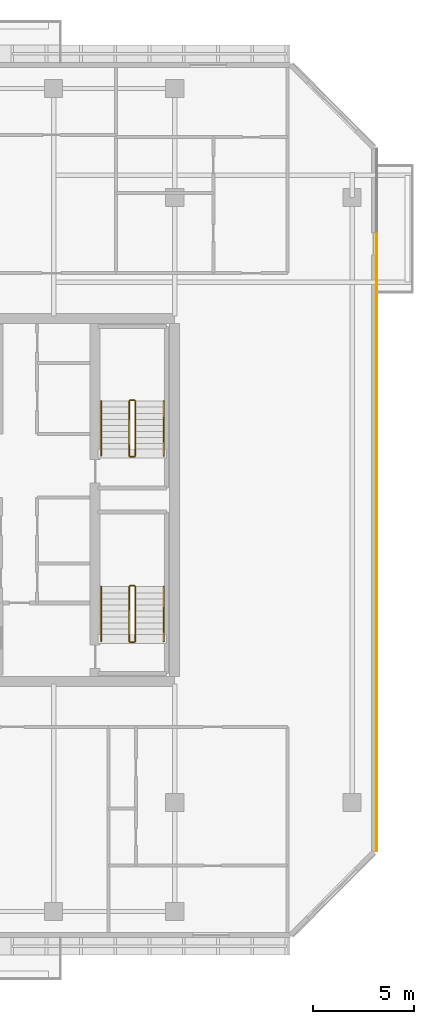
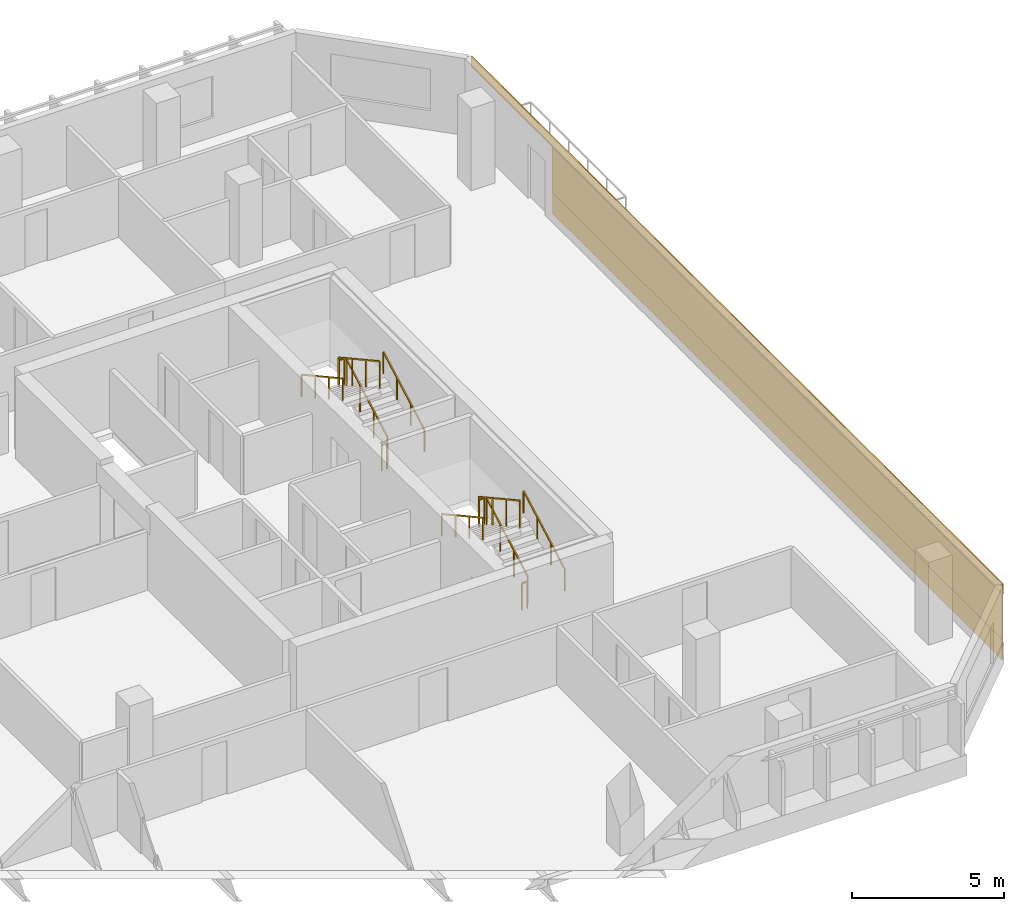
# One storey, part 20 of 21: 12 railings, 3 coverings.
"""IFC4 building model written with IfcOpenShell, lengths in metres."""

from ifc_helpers import new_model, si_unit, direction, frame, origin, origin_2d, place, context, subcontext, project, spatial, rectangle, extrude, material, layer, layer_set, type_object, element, save


model = new_model("IFC4")

# Units and contexts
model_context = context("Model", 3, precision=1e-05, world=origin(), true_north=direction((0.0, 1.0)))
body_context = subcontext(model_context, "Body", "Model", "MODEL_VIEW")
ifc_project = project(units=[si_unit("LENGTHUNIT", "METRE"), si_unit("AREAUNIT", "SQUARE_METRE"), si_unit("VOLUMEUNIT", "CUBIC_METRE"), si_unit("PLANEANGLEUNIT", "RADIAN"), si_unit("MASSUNIT", "GRAM", prefix="KILO")], contexts=[model_context])

# Site, building, storey
site_placement = place(None, origin())
site = spatial("IfcSite", under=ifc_project, at=site_placement, CompositionType="ELEMENT")
building_placement = place(site_placement, origin())
building = spatial("IfcBuilding", under=site, at=building_placement, Name="Tanjung Sevakor Pilgrim Tower", CompositionType="ELEMENT")
storey_placement = place(building_placement, frame((0.0, 0.0, 145.199951171875)))
storey = spatial("IfcBuildingStorey", under=building, at=storey_placement, Name="L40", CompositionType="ELEMENT", Elevation=145.199951171875)

# Coverings
ifc_material_1 = material(Name="Reconstructed Limestone Cladding", Category="masonry")
ifc_layer = layer(ifc_material_1, 0.044921875)
ifc_layer_set = layer_set([ifc_layer], Name="COV-CLAD-LIMESTONE")
covering_type = type_object("IfcCoveringType", Name="COV-CLAD-LIMESTONE", PredefinedType="CLADDING", material=ifc_layer_set)
covering_1_placement = place(storey_placement, frame((100.0224609375, 30.94091796875, 0.009765625), z_axis=(0.0, 0.0, 1.0), x_axis=(0.0, 1.0, 0.0)))
element("IfcCovering", 1, at=covering_1_placement, inside=storey, type_object=covering_type, Name="L40 Warm Limestone Sill Spandrel EW-L40-MAIN-7-1", PredefinedType="CLADDING", context=body_context, shape_type="SweptSolid", body=[
    extrude(rectangle(XDim=29.498291015625, YDim=0.044921875, at=origin_2d()), origin(), (0.0, 0.0, 1.0), 0.840087890625),
])
covering_2_placement = place(storey_placement, frame((100.0224609375, 33.60009765625, 2.66015625), z_axis=(0.0, 0.0, 1.0), x_axis=(0.0, 1.0, 0.0)))
element("IfcCovering", 2, at=covering_2_placement, inside=storey, type_object=covering_type, Name="L40 Warm Limestone Cornice Spandrel EW-L40-MAIN-7", PredefinedType="CLADDING", context=body_context, shape_type="SweptSolid", body=[
    extrude(rectangle(XDim=34.8564453125, YDim=0.044921875, at=origin_2d()), origin(), (0.0, 0.0, 1.0), 0.409912109375),
])
covering_3_placement = place(storey_placement, frame((100.0224609375, 30.94580078125, 0.85009765625), z_axis=(0.0, 0.0, 1.0), x_axis=(0.0, 1.0, 0.0)))
element("IfcCovering", 3, at=covering_3_placement, inside=storey, type_object=covering_type, Name="L40 Warm Limestone Pier Panel EW-L40-MAIN-7-1", PredefinedType="CLADDING", context=body_context, shape_type="SweptSolid", body=[
    extrude(rectangle(XDim=29.50830078125, YDim=0.044921875, at=origin_2d()), origin(), (0.0, 0.0, 1.0), 1.81005859375),
])

# Railings
ifc_material_2 = material(Name="Steel S355J2", Category="steel")
railing_type_1 = type_object("IfcRailingType", Name="RL-STAIR-GUARD", PredefinedType="GUARDRAIL", material=ifc_material_2)
railing_1_placement = place(storey_placement, frame((88.050048828125, 26.60009765625, 0.1650390625)))
element("IfcRailing", 4, at=railing_1_placement, inside=storey, type_object=railing_type_1, Name="L40 TS-E1 stair guard 1", PredefinedType="GUARDRAIL", context=body_context, shape_type="SweptSolid", body=[
    extrude(rectangle(XDim=0.0479, YDim=0.0479), frame((0.0, 0.0, 1.076171875), z_axis=(0.0, 0.876197507361, 0.481952205197), x_axis=(-1.0, 0.0, 0.0)), (0.0, 0.0, 1.0), 3.08154296875),
    extrude(rectangle(XDim=0.042, YDim=0.042), origin(), (0.0, 0.0, 1.0), 1.052001953125),
    extrude(rectangle(XDim=0.042, YDim=0.042), frame((0.0, 0.89990234375, 0.4951171875)), (0.0, 0.0, 1.0), 1.052001953125),
    extrude(rectangle(XDim=0.042, YDim=0.042), frame((0.0, 1.800048828125, 0.989990234375)), (0.0, 0.0, 1.0), 1.052001953125),
    extrude(rectangle(XDim=0.042, YDim=0.042), frame((0.0, 2.699951171875, 1.485107421875)), (0.0, 0.0, 1.0), 1.052001953125),
])
railing_2_placement = place(storey_placement, frame((88.0, 29.35009765625, 1.650146484375)))
element("IfcRailing", 5, at=railing_2_placement, inside=storey, type_object=railing_type_1, Name="L40 TS-E1 stair guard 2", PredefinedType="GUARDRAIL", context=body_context, shape_type="SweptSolid", body=[
    extrude(rectangle(XDim=0.0479, YDim=0.0479), frame((0.0, 0.0, 1.076171875), z_axis=(-1.0, 0.0, 0.0), x_axis=(0.0, -1.0, 0.0)), (0.0, 0.0, 1.0), 0.199951171875),
    extrude(rectangle(XDim=0.042, YDim=0.042), origin(), (0.0, 0.0, 1.0), 1.052001953125),
    extrude(rectangle(XDim=0.042, YDim=0.042), frame((-0.199951171875, 0.0, 0.0)), (0.0, 0.0, 1.0), 1.052001953125),
])
railing_3_placement = place(storey_placement, frame((87.75, 29.300048828125, 1.81494140625)))
element("IfcRailing", 6, at=railing_3_placement, inside=storey, type_object=railing_type_1, Name="L40 TS-E1 stair guard 3", PredefinedType="GUARDRAIL", context=body_context, shape_type="SweptSolid", body=[
    extrude(rectangle(XDim=0.0479, YDim=0.0479), frame((0.0, 0.0, 1.076171875), z_axis=(0.0, -0.876197507361, 0.481952205197), x_axis=(1.0, 0.0, 0.0)), (0.0, 0.0, 1.0), 3.08154296875),
    extrude(rectangle(XDim=0.042, YDim=0.042), origin(), (0.0, 0.0, 1.0), 1.052001953125),
    extrude(rectangle(XDim=0.042, YDim=0.042), frame((0.0, -0.89990234375, 0.4951171875)), (0.0, 0.0, 1.0), 1.052001953125),
    extrude(rectangle(XDim=0.042, YDim=0.042), frame((0.0, -1.800048828125, 0.989990234375)), (0.0, 0.0, 1.0), 1.052001953125),
    extrude(rectangle(XDim=0.042, YDim=0.042), frame((0.0, -2.699951171875, 1.485107421875)), (0.0, 0.0, 1.0), 1.052001953125),
])
railing_4_placement = place(storey_placement, frame((88.0, 26.550048828125, 0.0)))
element("IfcRailing", 7, at=railing_4_placement, inside=storey, type_object=railing_type_1, Name="L40 TS-E1 stair guard 4", PredefinedType="GUARDRAIL", context=body_context, shape_type="SweptSolid", body=[
    extrude(rectangle(XDim=0.0479, YDim=0.0479), frame((0.0, 0.0, 1.076171875), z_axis=(-1.0, 0.0, 0.0), x_axis=(0.0, -1.0, 0.0)), (0.0, 0.0, 1.0), 0.199951171875),
    extrude(rectangle(XDim=0.042, YDim=0.042), origin(), (0.0, 0.0, 1.0), 1.052001953125),
    extrude(rectangle(XDim=0.042, YDim=0.042), frame((-0.199951171875, 0.0, 0.0)), (0.0, 0.0, 1.0), 1.052001953125),
])
railing_5_placement = place(storey_placement, frame((88.050048828125, 35.800048828125, 0.1650390625)))
element("IfcRailing", 8, at=railing_5_placement, inside=storey, type_object=railing_type_1, Name="L40 TS-E2 stair guard 1", PredefinedType="GUARDRAIL", context=body_context, shape_type="SweptSolid", body=[
    extrude(rectangle(XDim=0.0479, YDim=0.0479), frame((0.0, 0.0, 1.076171875), z_axis=(0.0, 0.876197507361, 0.481952205197), x_axis=(-1.0, 0.0, 0.0)), (0.0, 0.0, 1.0), 3.08154296875),
    extrude(rectangle(XDim=0.042, YDim=0.042), origin(), (0.0, 0.0, 1.0), 1.052001953125),
    extrude(rectangle(XDim=0.042, YDim=0.042), frame((0.0, 0.89990234375, 0.4951171875)), (0.0, 0.0, 1.0), 1.052001953125),
    extrude(rectangle(XDim=0.042, YDim=0.042), frame((0.0, 1.800048828125, 0.989990234375)), (0.0, 0.0, 1.0), 1.052001953125),
    extrude(rectangle(XDim=0.042, YDim=0.042), frame((0.0, 2.699951171875, 1.485107421875)), (0.0, 0.0, 1.0), 1.052001953125),
])
railing_6_placement = place(storey_placement, frame((88.0, 38.550048828125, 1.650146484375)))
element("IfcRailing", 9, at=railing_6_placement, inside=storey, type_object=railing_type_1, Name="L40 TS-E2 stair guard 2", PredefinedType="GUARDRAIL", context=body_context, shape_type="SweptSolid", body=[
    extrude(rectangle(XDim=0.0479, YDim=0.0479), frame((0.0, 0.0, 1.076171875), z_axis=(-1.0, 0.0, 0.0), x_axis=(0.0, -1.0, 0.0)), (0.0, 0.0, 1.0), 0.199951171875),
    extrude(rectangle(XDim=0.042, YDim=0.042), origin(), (0.0, 0.0, 1.0), 1.052001953125),
    extrude(rectangle(XDim=0.042, YDim=0.042), frame((-0.199951171875, 0.0, 0.0)), (0.0, 0.0, 1.0), 1.052001953125),
])
railing_7_placement = place(storey_placement, frame((87.75, 38.5, 1.81494140625)))
element("IfcRailing", 10, at=railing_7_placement, inside=storey, type_object=railing_type_1, Name="L40 TS-E2 stair guard 3", PredefinedType="GUARDRAIL", context=body_context, shape_type="SweptSolid", body=[
    extrude(rectangle(XDim=0.0479, YDim=0.0479), frame((0.0, 0.0, 1.076171875), z_axis=(0.0, -0.876197507361, 0.481952205197), x_axis=(1.0, 0.0, 0.0)), (0.0, 0.0, 1.0), 3.08154296875),
    extrude(rectangle(XDim=0.042, YDim=0.042), origin(), (0.0, 0.0, 1.0), 1.052001953125),
    extrude(rectangle(XDim=0.042, YDim=0.042), frame((0.0, -0.89990234375, 0.4951171875)), (0.0, 0.0, 1.0), 1.052001953125),
    extrude(rectangle(XDim=0.042, YDim=0.042), frame((0.0, -1.800048828125, 0.989990234375)), (0.0, 0.0, 1.0), 1.052001953125),
    extrude(rectangle(XDim=0.042, YDim=0.042), frame((0.0, -2.699951171875, 1.485107421875)), (0.0, 0.0, 1.0), 1.052001953125),
])
railing_8_placement = place(storey_placement, frame((88.0, 35.75, 0.0)))
element("IfcRailing", 11, at=railing_8_placement, inside=storey, type_object=railing_type_1, Name="L40 TS-E2 stair guard 4", PredefinedType="GUARDRAIL", context=body_context, shape_type="SweptSolid", body=[
    extrude(rectangle(XDim=0.0479, YDim=0.0479), frame((0.0, 0.0, 1.076171875), z_axis=(-1.0, 0.0, 0.0), x_axis=(0.0, -1.0, 0.0)), (0.0, 0.0, 1.0), 0.199951171875),
    extrude(rectangle(XDim=0.042, YDim=0.042), origin(), (0.0, 0.0, 1.0), 1.052001953125),
    extrude(rectangle(XDim=0.042, YDim=0.042), frame((-0.199951171875, 0.0, 0.0)), (0.0, 0.0, 1.0), 1.052001953125),
])
ifc_material_3 = material(Name="Steel S355J2", Category="steel")
railing_type_2 = type_object("IfcRailingType", Name="RL-STAIR-HAND", PredefinedType="HANDRAIL", material=ifc_material_3)
railing_9_placement = place(storey_placement, frame((89.449951171875, 26.60009765625, 0.1650390625)))
element("IfcRailing", 12, at=railing_9_placement, inside=storey, type_object=railing_type_2, Name="L40 TS-E1 stair handrail 1", PredefinedType="HANDRAIL", context=body_context, shape_type="SweptSolid", body=[
    extrude(rectangle(XDim=0.0479, YDim=0.0479), frame((0.0, 0.0, 0.8759765625), z_axis=(0.0, 0.876197507361, 0.481952205197), x_axis=(-1.0, 0.0, 0.0)), (0.0, 0.0, 1.0), 3.08154296875),
    extrude(rectangle(XDim=0.042, YDim=0.042), origin(), (0.0, 0.0, 1.0), 0.851806640625),
    extrude(rectangle(XDim=0.042, YDim=0.042), frame((0.0, 0.89990234375, 0.4951171875)), (0.0, 0.0, 1.0), 0.851806640625),
    extrude(rectangle(XDim=0.042, YDim=0.042), frame((0.0, 1.800048828125, 0.989990234375)), (0.0, 0.0, 1.0), 0.851806640625),
    extrude(rectangle(XDim=0.042, YDim=0.042), frame((0.0, 2.699951171875, 1.485107421875)), (0.0, 0.0, 1.0), 0.851806640625),
])
railing_10_placement = place(storey_placement, frame((86.35009765625, 29.300048828125, 1.81494140625)))
element("IfcRailing", 13, at=railing_10_placement, inside=storey, type_object=railing_type_2, Name="L40 TS-E1 stair handrail 2", PredefinedType="HANDRAIL", context=body_context, shape_type="SweptSolid", body=[
    extrude(rectangle(XDim=0.0479, YDim=0.0479), frame((0.0, 0.0, 0.8759765625), z_axis=(0.0, -0.876197507361, 0.481952205197), x_axis=(1.0, 0.0, 0.0)), (0.0, 0.0, 1.0), 3.08154296875),
    extrude(rectangle(XDim=0.042, YDim=0.042), origin(), (0.0, 0.0, 1.0), 0.851806640625),
    extrude(rectangle(XDim=0.042, YDim=0.042), frame((0.0, -0.89990234375, 0.4951171875)), (0.0, 0.0, 1.0), 0.851806640625),
    extrude(rectangle(XDim=0.042, YDim=0.042), frame((0.0, -1.800048828125, 0.989990234375)), (0.0, 0.0, 1.0), 0.851806640625),
    extrude(rectangle(XDim=0.042, YDim=0.042), frame((0.0, -2.699951171875, 1.485107421875)), (0.0, 0.0, 1.0), 0.851806640625),
])
railing_11_placement = place(storey_placement, frame((89.449951171875, 35.800048828125, 0.1650390625)))
element("IfcRailing", 14, at=railing_11_placement, inside=storey, type_object=railing_type_2, Name="L40 TS-E2 stair handrail 1", PredefinedType="HANDRAIL", context=body_context, shape_type="SweptSolid", body=[
    extrude(rectangle(XDim=0.0479, YDim=0.0479), frame((0.0, 0.0, 0.8759765625), z_axis=(0.0, 0.876197507361, 0.481952205197), x_axis=(-1.0, 0.0, 0.0)), (0.0, 0.0, 1.0), 3.08154296875),
    extrude(rectangle(XDim=0.042, YDim=0.042), origin(), (0.0, 0.0, 1.0), 0.851806640625),
    extrude(rectangle(XDim=0.042, YDim=0.042), frame((0.0, 0.89990234375, 0.4951171875)), (0.0, 0.0, 1.0), 0.851806640625),
    extrude(rectangle(XDim=0.042, YDim=0.042), frame((0.0, 1.800048828125, 0.989990234375)), (0.0, 0.0, 1.0), 0.851806640625),
    extrude(rectangle(XDim=0.042, YDim=0.042), frame((0.0, 2.699951171875, 1.485107421875)), (0.0, 0.0, 1.0), 0.851806640625),
])
railing_12_placement = place(storey_placement, frame((86.35009765625, 38.5, 1.81494140625)))
element("IfcRailing", 15, at=railing_12_placement, inside=storey, type_object=railing_type_2, Name="L40 TS-E2 stair handrail 2", PredefinedType="HANDRAIL", context=body_context, shape_type="SweptSolid", body=[
    extrude(rectangle(XDim=0.0479, YDim=0.0479), frame((0.0, 0.0, 0.8759765625), z_axis=(0.0, -0.876197507361, 0.481952205197), x_axis=(1.0, 0.0, 0.0)), (0.0, 0.0, 1.0), 3.08154296875),
    extrude(rectangle(XDim=0.042, YDim=0.042), origin(), (0.0, 0.0, 1.0), 0.851806640625),
    extrude(rectangle(XDim=0.042, YDim=0.042), frame((0.0, -0.89990234375, 0.4951171875)), (0.0, 0.0, 1.0), 0.851806640625),
    extrude(rectangle(XDim=0.042, YDim=0.042), frame((0.0, -1.800048828125, 0.989990234375)), (0.0, 0.0, 1.0), 0.851806640625),
    extrude(rectangle(XDim=0.042, YDim=0.042), frame((0.0, -2.699951171875, 1.485107421875)), (0.0, 0.0, 1.0), 0.851806640625),
])

save(model, "model.ifc")
